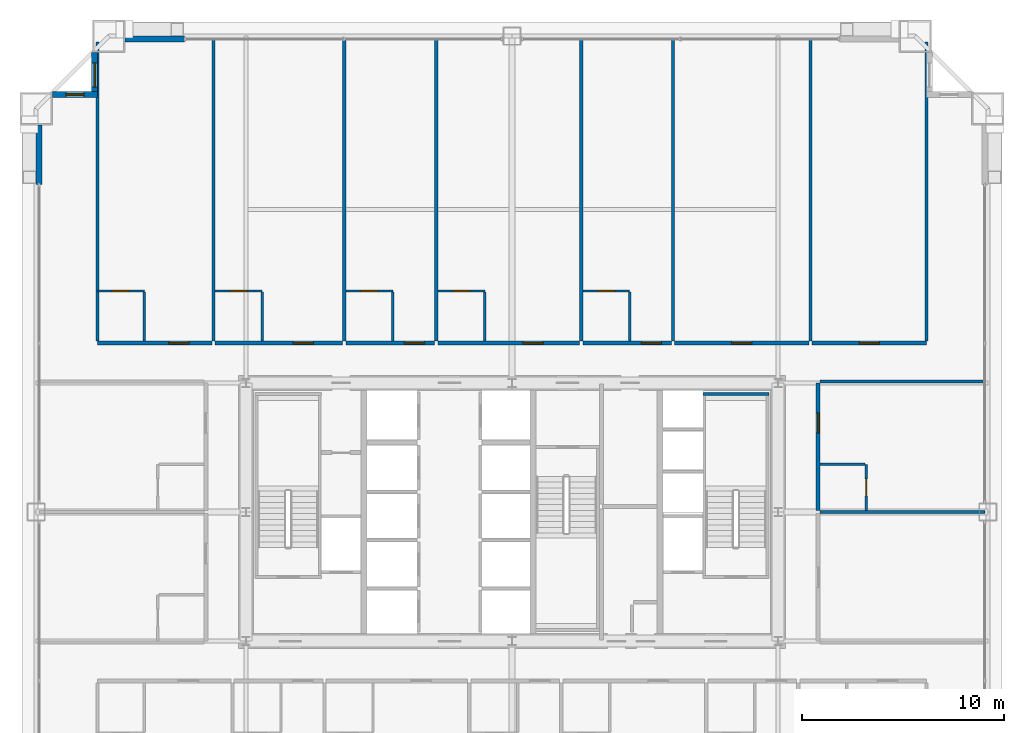
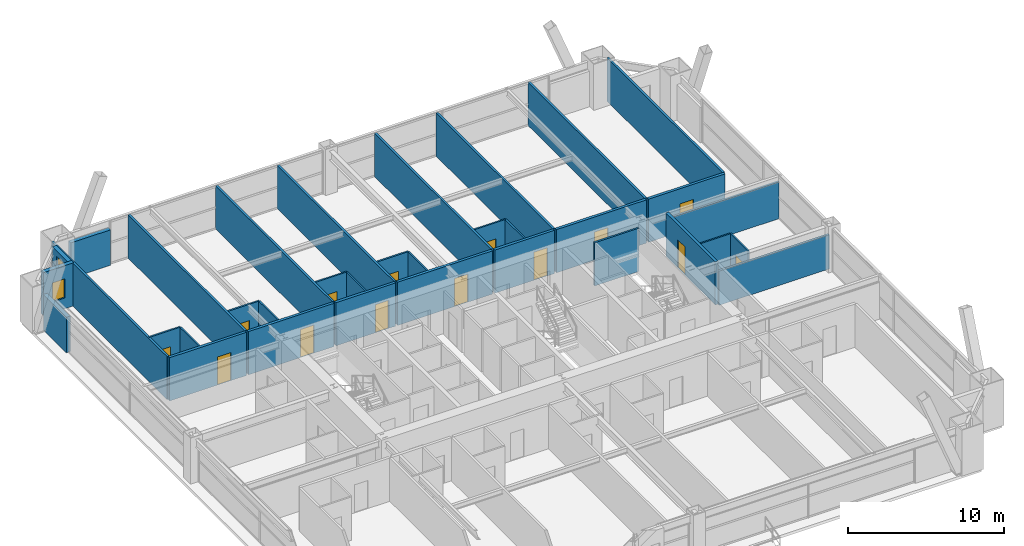
# One storey, part 41 of 43: 35 walls, 14 doors, 2 windows, 16 openings.
"""IFC4 building model written with IfcOpenShell, lengths in metres."""

from ifc_helpers import new_model, si_unit, direction, frame, frame_2d, origin, place, context, subcontext, project, spatial, rectangle, extrude, source, transform, mapped, material, layer, layer_set, type_object, element, fill, save


model = new_model("IFC4")

# Units and contexts
model_context = context("Model", 3, precision=1e-05, world=origin(), true_north=direction((0.0, 1.0)))
body_context = subcontext(model_context, "Body", "Model", "MODEL_VIEW")
ifc_project = project(units=[si_unit("LENGTHUNIT", "METRE"), si_unit("AREAUNIT", "SQUARE_METRE"), si_unit("VOLUMEUNIT", "CUBIC_METRE"), si_unit("PLANEANGLEUNIT", "RADIAN"), si_unit("MASSUNIT", "GRAM", prefix="KILO"), si_unit("THERMODYNAMICTEMPERATUREUNIT", "KELVIN"), si_unit("POWERUNIT", "WATT")], contexts=[model_context])

# Site, building, storey
site_placement = place(None, origin())
site = spatial("IfcSite", under=ifc_project, at=site_placement, CompositionType="ELEMENT")
building_placement = place(site_placement, origin())
building = spatial("IfcBuilding", under=site, at=building_placement, Name="Yuzanri Waterfront Tower", CompositionType="ELEMENT")
storey_placement = place(building_placement, frame((0.0, 0.0, 93.800048828125)))
storey = spatial("IfcBuildingStorey", under=building, at=storey_placement, Name="L24", CompositionType="ELEMENT", Elevation=93.800048828125)

# Wall, opening, door
ifc_material_1 = material(Name="Moisture-Resistant Gypsum Stud Wall", Category="gypsum")
ifc_layer_1 = layer(ifc_material_1, 0.1201171875)
ifc_layer_set_1 = layer_set([ifc_layer_1], Name="Moisture-Resistant Gypsum Stud Wall")
wall_type_1 = type_object("IfcWallType", Name="Bathroom and Kitchen Wet Partition 120", PredefinedType="PARTITIONING", material=ifc_layer_set_1)
wall_1_placement = place(storey_placement, frame((16.43994140625, 36.760009765625, 0.0), z_axis=(0.0, 0.0, 1.0), x_axis=(1.0, 0.0, 0.0)))
wall_1 = element("IfcWall", 1, at=wall_1_placement, inside=storey, type_object=wall_type_1, Name="L24 Partition UW-L24-N1-BN", PredefinedType="PARTITIONING", context=body_context, shape_type="SweptSolid", body=[
    extrude(rectangle(XDim=2.330078125, YDim=0.1201171875, at=frame_2d((1.1650390625, 0.0))), origin(), (0.0, 0.0, 1.0), 3.3798828125),
])
opening_1_placement = place(wall_1_placement, frame((0.739990234375, 0.0, 0.0)))
opening_1 = element("IfcOpeningElement", 2, at=opening_1_placement, cuts=wall_1, Name="Opening ID-0850", PredefinedType="OPENING", context=body_context, shape_type="SweptSolid", body=[
    extrude(rectangle(XDim=0.85009765625, YDim=2.10009765625, at=frame_2d((0.425048828125, 1.050048828125))), frame((0.0, 0.074951171875, 0.0), z_axis=(0.0, -1.0, 0.0), x_axis=(1.0, 0.0, 0.0)), (0.0, 0.0, 1.0), 0.14990234375),
])
ifc_material_2 = material(Name="Moisture-Resistant Lacquered Timber", Category="wood")
door_type_1 = type_object("IfcDoorType", Name="En-Suite Bathroom and Kitchen Swing Door 850x2100", OperationType="NOTDEFINED", PredefinedType="DOOR", material=ifc_material_2)
shared_shape_1 = source(origin(), body_context, "Body", "SweptSolid", [
    extrude(rectangle(XDim=0.85009765625, YDim=2.10009765625, at=frame_2d((0.425048828125, 1.050048828125))), frame((0.0, 0.02490234375, 0.0), z_axis=(0.0, -1.0, 0.0), x_axis=(1.0, 0.0, 0.0)), (0.0, 0.0, 1.0), 0.050048828125),
])
door_1_placement = place(opening_1_placement, origin())
door_1 = element("IfcDoor", 3, at=door_1_placement, inside=storey, type_object=door_type_1, Name="L24 Guest En-Suite Door", OperationType="SINGLE_SWING_LEFT", OverallHeight=2.10009765625, OverallWidth=0.85009765625, PredefinedType="DOOR", context=body_context, shape_type="MappedRepresentation", body=[
    mapped(shared_shape_1, transform((0.0, 0.0, 0.0), scale=1.0)),
])
fill(opening_1, door_1)

wall_2_placement = place(storey_placement, frame((22.277099609375, 36.760009765625, 0.0), z_axis=(0.0, 0.0, 1.0), x_axis=(1.0, 0.0, 0.0)))
wall_2 = element("IfcWall", 4, at=wall_2_placement, inside=storey, type_object=wall_type_1, Name="L24 Partition UW-L24-N2-BN", PredefinedType="PARTITIONING", context=body_context, shape_type="SweptSolid", body=[
    extrude(rectangle(XDim=2.329833984375, YDim=0.1201171875, at=frame_2d((1.1650390625, 0.0))), origin(), (0.0, 0.0, 1.0), 3.3798828125),
])
opening_2_placement = place(wall_2_placement, frame((0.739990234375, 0.0, 0.0)))
opening_2 = element("IfcOpeningElement", 5, at=opening_2_placement, cuts=wall_2, Name="Opening ID-0850", PredefinedType="OPENING", context=body_context, shape_type="SweptSolid", body=[
    extrude(rectangle(XDim=0.85009765625, YDim=2.10009765625, at=frame_2d((0.425048828125, 1.050048828125))), frame((0.0, 0.074951171875, 0.0), z_axis=(0.0, -1.0, 0.0), x_axis=(1.0, 0.0, 0.0)), (0.0, 0.0, 1.0), 0.14990234375),
])
door_2_placement = place(opening_2_placement, origin())
door_2 = element("IfcDoor", 6, at=door_2_placement, inside=storey, type_object=door_type_1, Name="L24 Guest En-Suite Door", OperationType="SINGLE_SWING_LEFT", OverallHeight=2.10009765625, OverallWidth=0.85009765625, PredefinedType="DOOR", context=body_context, shape_type="MappedRepresentation", body=[
    mapped(shared_shape_1, transform((0.0, 0.0, 0.0), scale=1.0)),
])
fill(opening_2, door_2)

wall_3_placement = place(storey_placement, frame((28.761962890625, 36.760009765625, 0.0), z_axis=(0.0, 0.0, 1.0), x_axis=(1.0, 0.0, 0.0)))
wall_3 = element("IfcWall", 7, at=wall_3_placement, inside=storey, type_object=wall_type_1, Name="L24 Partition UW-L24-N3-BN", PredefinedType="PARTITIONING", context=body_context, shape_type="SweptSolid", body=[
    extrude(rectangle(XDim=2.328125, YDim=0.1201171875, at=frame_2d((1.1640625, 0.0))), origin(), (0.0, 0.0, 1.0), 3.3798828125),
])
opening_3_placement = place(wall_3_placement, frame((0.739013671875, 0.0, 0.0)))
opening_3 = element("IfcOpeningElement", 8, at=opening_3_placement, cuts=wall_3, Name="Opening ID-0850", PredefinedType="OPENING", context=body_context, shape_type="SweptSolid", body=[
    extrude(rectangle(XDim=0.85009765625, YDim=2.10009765625, at=frame_2d((0.425048828125, 1.050048828125))), frame((0.0, 0.074951171875, 0.0), z_axis=(0.0, -1.0, 0.0), x_axis=(1.0, 0.0, 0.0)), (0.0, 0.0, 1.0), 0.14990234375),
])
door_3_placement = place(opening_3_placement, origin())
door_3 = element("IfcDoor", 9, at=door_3_placement, inside=storey, type_object=door_type_1, Name="L24 Guest En-Suite Door", OperationType="SINGLE_SWING_LEFT", OverallHeight=2.10009765625, OverallWidth=0.85009765625, PredefinedType="DOOR", context=body_context, shape_type="MappedRepresentation", body=[
    mapped(shared_shape_1, transform((0.0, 0.0, 0.0), scale=1.0)),
])
fill(opening_3, door_3)

wall_4_placement = place(storey_placement, frame((33.320068359375, 36.760009765625, 0.0), z_axis=(0.0, 0.0, 1.0), x_axis=(1.0, 0.0, 0.0)))
wall_4 = element("IfcWall", 10, at=wall_4_placement, inside=storey, type_object=wall_type_1, Name="L24 Partition UW-L24-N4-BN", PredefinedType="PARTITIONING", context=body_context, shape_type="SweptSolid", body=[
    extrude(rectangle(XDim=2.329833984375, YDim=0.1201171875, at=frame_2d((1.1650390625, 0.0))), origin(), (0.0, 0.0, 1.0), 3.3798828125),
])
opening_4_placement = place(wall_4_placement, frame((0.739990234375, 0.0, 0.0)))
opening_4 = element("IfcOpeningElement", 11, at=opening_4_placement, cuts=wall_4, Name="Opening ID-0850", PredefinedType="OPENING", context=body_context, shape_type="SweptSolid", body=[
    extrude(rectangle(XDim=0.85009765625, YDim=2.10009765625, at=frame_2d((0.425048828125, 1.050048828125))), frame((0.0, 0.074951171875, 0.0), z_axis=(0.0, -1.0, 0.0), x_axis=(1.0, 0.0, 0.0)), (0.0, 0.0, 1.0), 0.14990234375),
])
door_4_placement = place(opening_4_placement, origin())
door_4 = element("IfcDoor", 12, at=door_4_placement, inside=storey, type_object=door_type_1, Name="L24 Guest En-Suite Door", OperationType="SINGLE_SWING_LEFT", OverallHeight=2.10009765625, OverallWidth=0.85009765625, PredefinedType="DOOR", context=body_context, shape_type="MappedRepresentation", body=[
    mapped(shared_shape_1, transform((0.0, 0.0, 0.0), scale=1.0)),
])
fill(opening_4, door_4)

wall_5_placement = place(storey_placement, frame((40.510986328125, 36.760009765625, 0.0), z_axis=(0.0, 0.0, 1.0), x_axis=(1.0, 0.0, 0.0)))
wall_5 = element("IfcWall", 13, at=wall_5_placement, inside=storey, type_object=wall_type_1, Name="L24 Partition UW-L24-N5-BN", PredefinedType="PARTITIONING", context=body_context, shape_type="SweptSolid", body=[
    extrude(rectangle(XDim=2.328125, YDim=0.1201171875, at=frame_2d((1.1640625, 0.0))), origin(), (0.0, 0.0, 1.0), 3.3798828125),
])
opening_5_placement = place(wall_5_placement, frame((0.739013671875, 0.0, 0.0)))
opening_5 = element("IfcOpeningElement", 14, at=opening_5_placement, cuts=wall_5, Name="Opening ID-0850", PredefinedType="OPENING", context=body_context, shape_type="SweptSolid", body=[
    extrude(rectangle(XDim=0.85009765625, YDim=2.10009765625, at=frame_2d((0.425048828125, 1.050048828125))), frame((0.0, 0.074951171875, 0.0), z_axis=(0.0, -1.0, 0.0), x_axis=(1.0, 0.0, 0.0)), (0.0, 0.0, 1.0), 0.14990234375),
])
door_5_placement = place(opening_5_placement, origin())
door_5 = element("IfcDoor", 15, at=door_5_placement, inside=storey, type_object=door_type_1, Name="L24 Guest En-Suite Door", OperationType="SINGLE_SWING_LEFT", OverallHeight=2.10009765625, OverallWidth=0.85009765625, PredefinedType="DOOR", context=body_context, shape_type="MappedRepresentation", body=[
    mapped(shared_shape_1, transform((0.0, 0.0, 0.0), scale=1.0)),
])
fill(opening_5, door_5)

wall_6_placement = place(storey_placement, frame((54.56005859375, 25.8798828125, 0.0), z_axis=(0.0, 0.0, 1.0), x_axis=(0.0, 1.0, 0.0)))
wall_6 = element("IfcWall", 16, at=wall_6_placement, inside=storey, type_object=wall_type_1, Name="L24 Partition UW-L24-E2-BE2", PredefinedType="PARTITIONING", context=body_context, shape_type="SweptSolid", body=[
    extrude(rectangle(XDim=2.280029296875, YDim=0.1201171875, at=frame_2d((1.14013671875, 0.0))), origin(), (0.0, 0.0, 1.0), 3.3798828125),
])
opening_6_placement = place(wall_6_placement, frame((0.715087890625, 0.0, 0.0)))
opening_6 = element("IfcOpeningElement", 17, at=opening_6_placement, cuts=wall_6, Name="Opening ID-0850", PredefinedType="OPENING", context=body_context, shape_type="SweptSolid", body=[
    extrude(rectangle(XDim=0.85009765625, YDim=2.10009765625, at=frame_2d((0.425048828125, 1.050048828125))), frame((0.0, 0.074951171875, 0.0), z_axis=(0.0, -1.0, 0.0), x_axis=(1.0, 0.0, 0.0)), (0.0, 0.0, 1.0), 0.14990234375),
])
door_6_placement = place(opening_6_placement, origin())
door_6 = element("IfcDoor", 18, at=door_6_placement, inside=storey, type_object=door_type_1, Name="L24 Guest En-Suite Door", OperationType="SINGLE_SWING_RIGHT", OverallHeight=2.10009765625, OverallWidth=0.85009765625, PredefinedType="DOOR", context=body_context, shape_type="MappedRepresentation", body=[
    mapped(shared_shape_1, transform((0.0, 0.0, 0.0), scale=1.0)),
])
fill(opening_6, door_6)

# Wall, opening, window
ifc_material_3 = material(Name="Honed Chongqing Dark Basalt Stone", Category="masonry")
ifc_layer_2 = layer(ifc_material_3, 0.300048828125)
ifc_layer_set_2 = layer_set([ifc_layer_2], Name="Honed Chongqing Dark Basalt Stone")
wall_type_2 = type_object("IfcWallType", Name="Bronze Rainscreen Insulated Spandrel Portal Wall 300", PredefinedType="SOLIDWALL", material=ifc_layer_set_2)
wall_7_placement = place(storey_placement, frame((16.449951171875, 46.5, 0.0), z_axis=(0.0, 0.0, 1.0), x_axis=(-1.0, 0.0, 0.0)))
wall_7 = element("IfcWall", 19, at=wall_7_placement, inside=storey, type_object=wall_type_2, Name="L24 Notched Corner Masonry Wall NW-X", PredefinedType="SOLIDWALL", context=body_context, shape_type="SweptSolid", body=[
    extrude(rectangle(XDim=2.25, YDim=0.300048828125, at=frame_2d((1.125, 0.0))), origin(), (0.0, 0.0, 1.0), 3.3798828125),
])
opening_7_placement = place(wall_7_placement, frame((0.675048828125, 0.0, 0.85009765625)))
opening_7 = element("IfcOpeningElement", 20, at=opening_7_placement, cuts=wall_7, Name="Opening WN-05", PredefinedType="OPENING", context=body_context, shape_type="SweptSolid", body=[
    extrude(rectangle(XDim=0.89990234375, YDim=1.5, at=frame_2d((0.449951171875, 0.75))), frame((0.0, 0.1650390625, 0.0), z_axis=(0.0, -1.0, 0.0), x_axis=(1.0, 0.0, 0.0)), (0.0, 0.0, 1.0), 0.329833984375),
])
ifc_material_4 = material(Name="Double-Silver Low-E Insulated Glass", Category="glass")
window_type_1 = type_object("IfcWindowType", Name="Anodized Bronze Service and Stairwell Smoke-Vent Window 900x1500", PartitioningType="SINGLE_PANEL", PredefinedType="WINDOW", material=ifc_material_4)
shared_shape_2 = source(origin(), body_context, "Body", "SweptSolid", [
    extrude(rectangle(XDim=0.89990234375, YDim=1.5, at=frame_2d((0.449951171875, 0.75))), frame((0.0, 0.030029296875, 0.0), z_axis=(0.0, -1.0, 0.0), x_axis=(1.0, 0.0, 0.0)), (0.0, 0.0, 1.0), 0.06005859375),
])
window_1_placement = place(opening_7_placement, origin())
window_1 = element("IfcWindow", 21, at=window_1_placement, inside=storey, type_object=window_type_1, Name="L24 Notched Corner Window NW-X", OverallHeight=1.5, OverallWidth=0.89990234375, PartitioningType="SINGLE_PANEL", PredefinedType="WINDOW", context=body_context, shape_type="MappedRepresentation", body=[
    mapped(shared_shape_2, transform((0.0, 0.0, 0.0), scale=1.0)),
])
fill(opening_7, window_1)

wall_8_placement = place(storey_placement, frame((16.300048828125, 48.60009765625, 0.0), z_axis=(0.0, 0.0, 1.0), x_axis=(0.0, -1.0, 0.0)))
wall_8 = element("IfcWall", 22, at=wall_8_placement, inside=storey, type_object=wall_type_2, Name="L24 Notched Corner Masonry Wall NW-Y", PredefinedType="SOLIDWALL", context=body_context, shape_type="SweptSolid", body=[
    extrude(rectangle(XDim=2.25, YDim=0.300048828125, at=frame_2d((1.125, 0.0))), origin(), (0.0, 0.0, 1.0), 3.3798828125),
])
opening_8_placement = place(wall_8_placement, frame((0.52490234375, 0.0, 0.85009765625)))
opening_8 = element("IfcOpeningElement", 23, at=opening_8_placement, cuts=wall_8, Name="Opening WN-02", PredefinedType="OPENING", context=body_context, shape_type="SweptSolid", body=[
    extrude(rectangle(XDim=1.199951171875, YDim=2.10009765625, at=frame_2d((0.60009765625, 1.050048828125))), frame((0.0, 0.1650390625, 0.0), z_axis=(0.0, -1.0, 0.0), x_axis=(1.0, 0.0, 0.0)), (0.0, 0.0, 1.0), 0.329833984375),
])
ifc_material_5 = material(Name="Double-Silver Low-E Insulated Glass", Category="glass")
window_type_2 = type_object("IfcWindowType", Name="Anodized Bronze Notched Corner Deep-Set Slot Window 1200x2100", PartitioningType="SINGLE_PANEL", PredefinedType="WINDOW", material=ifc_material_5)
shared_shape_3 = source(origin(), body_context, "Body", "SweptSolid", [
    extrude(rectangle(XDim=1.199951171875, YDim=2.10009765625, at=frame_2d((0.60009765625, 1.050048828125))), frame((0.0, 0.030029296875, 0.0), z_axis=(0.0, -1.0, 0.0), x_axis=(1.0, 0.0, 0.0)), (0.0, 0.0, 1.0), 0.06005859375),
])
window_2_placement = place(opening_8_placement, origin())
window_2 = element("IfcWindow", 24, at=window_2_placement, inside=storey, type_object=window_type_2, Name="L24 Notched Corner Window NW-Y", OverallHeight=2.10009765625, OverallWidth=1.199951171875, PartitioningType="SINGLE_PANEL", PredefinedType="WINDOW", context=body_context, shape_type="MappedRepresentation", body=[
    mapped(shared_shape_3, transform((0.0, 0.0, 0.0), scale=1.0)),
])
fill(opening_8, window_2)

# Wall, opening, door
ifc_material_6 = material(Name="Autoclaved Aerated Concrete Blockwork", Category="masonry")
ifc_layer_3 = layer(ifc_material_6, 0.199951171875)
ifc_layer_set_3 = layer_set([ifc_layer_3], Name="Autoclaved Aerated Concrete Blockwork")
wall_type_3 = type_object("IfcWallType", Name="Corridor and Unit Party Fire Wall 200", PredefinedType="PARTITIONING", material=ifc_layer_set_3)
wall_9_placement = place(storey_placement, frame((16.43994140625, 34.179931640625, 0.0), z_axis=(0.0, 0.0, 1.0), x_axis=(1.0, 0.0, 0.0)))
wall_9 = element("IfcWall", 25, at=wall_9_placement, inside=storey, type_object=wall_type_3, Name="L24 Partition UW-L24-N1-CS", PredefinedType="PARTITIONING", context=body_context, shape_type="SweptSolid", body=[
    extrude(rectangle(XDim=5.677001953125, YDim=0.199951171875, at=frame_2d((2.83837890625, 0.0))), origin(), (0.0, 0.0, 1.0), 3.3798828125),
])
opening_9_placement = place(wall_9_placement, frame((3.54296875, 0.0, 0.0)))
opening_9 = element("IfcOpeningElement", 26, at=opening_9_placement, cuts=wall_9, Name="Opening FD-1000", PredefinedType="OPENING", context=body_context, shape_type="SweptSolid", body=[
    extrude(rectangle(XDim=1.0, YDim=2.199951171875, at=frame_2d((0.5, 1.10009765625))), frame((0.0, 0.11474609375, 0.0), z_axis=(0.0, -1.0, 0.0), x_axis=(1.0, 0.0, 0.0)), (0.0, 0.0, 1.0), 0.229736328125),
])
ifc_material_7 = material(Name="Engineered Oak Fire-Rated Timber", Category="wood")
door_type_2 = type_object("IfcDoorType", Name="Guestroom and Apartment Entrance Fire Door 1000x2200", OperationType="NOTDEFINED", PredefinedType="DOOR", material=ifc_material_7)
shared_shape_4 = source(origin(), body_context, "Body", "SweptSolid", [
    extrude(rectangle(XDim=1.0, YDim=2.199951171875, at=frame_2d((0.5, 1.10009765625))), frame((0.0, 0.02490234375, 0.0), z_axis=(0.0, -1.0, 0.0), x_axis=(1.0, 0.0, 0.0)), (0.0, 0.0, 1.0), 0.050048828125),
])
door_7_placement = place(opening_9_placement, origin())
door_7 = element("IfcDoor", 27, at=door_7_placement, inside=storey, type_object=door_type_2, Name="L24 Deluxe Queen Junior Suite Entrance Door", OperationType="SINGLE_SWING_RIGHT", OverallHeight=2.199951171875, OverallWidth=1.0, PredefinedType="DOOR", context=body_context, shape_type="MappedRepresentation", body=[
    mapped(shared_shape_4, transform((0.0, 0.0, 0.0), scale=1.0)),
])
fill(opening_9, door_7)

wall_10_placement = place(storey_placement, frame((22.277099609375, 34.179931640625, 0.0), z_axis=(0.0, 0.0, 1.0), x_axis=(1.0, 0.0, 0.0)))
wall_10 = element("IfcWall", 28, at=wall_10_placement, inside=storey, type_object=wall_type_3, Name="L24 Partition UW-L24-N2-CS", PredefinedType="PARTITIONING", context=body_context, shape_type="SweptSolid", body=[
    extrude(rectangle(XDim=6.324951171875, YDim=0.199951171875, at=frame_2d((3.16259765625, 0.0))), origin(), (0.0, 0.0, 1.0), 3.3798828125),
])
opening_10_placement = place(wall_10_placement, frame((3.867919921875, 0.0, 0.0)))
opening_10 = element("IfcOpeningElement", 29, at=opening_10_placement, cuts=wall_10, Name="Opening FD-1000", PredefinedType="OPENING", context=body_context, shape_type="SweptSolid", body=[
    extrude(rectangle(XDim=1.0, YDim=2.199951171875, at=frame_2d((0.5, 1.10009765625))), frame((0.0, 0.11474609375, 0.0), z_axis=(0.0, -1.0, 0.0), x_axis=(1.0, 0.0, 0.0)), (0.0, 0.0, 1.0), 0.229736328125),
])
door_8_placement = place(opening_10_placement, origin())
door_8 = element("IfcDoor", 30, at=door_8_placement, inside=storey, type_object=door_type_2, Name="L24 Deluxe Queen Junior Suite Entrance Door", OperationType="SINGLE_SWING_RIGHT", OverallHeight=2.199951171875, OverallWidth=1.0, PredefinedType="DOOR", context=body_context, shape_type="MappedRepresentation", body=[
    mapped(shared_shape_4, transform((0.0, 0.0, 0.0), scale=1.0)),
])
fill(opening_10, door_8)

wall_11_placement = place(storey_placement, frame((28.761962890625, 34.179931640625, 0.0), z_axis=(0.0, 0.0, 1.0), x_axis=(1.0, 0.0, 0.0)))
wall_11 = element("IfcWall", 31, at=wall_11_placement, inside=storey, type_object=wall_type_3, Name="L24 Partition UW-L24-N3-CS", PredefinedType="PARTITIONING", context=body_context, shape_type="SweptSolid", body=[
    extrude(rectangle(XDim=4.39794921875, YDim=0.199951171875, at=frame_2d((2.198974609375, 0.0))), origin(), (0.0, 0.0, 1.0), 3.3798828125),
])
opening_11_placement = place(wall_11_placement, frame((2.903076171875, 0.0, 0.0)))
opening_11 = element("IfcOpeningElement", 32, at=opening_11_placement, cuts=wall_11, Name="Opening FD-1000", PredefinedType="OPENING", context=body_context, shape_type="SweptSolid", body=[
    extrude(rectangle(XDim=1.0, YDim=2.199951171875, at=frame_2d((0.5, 1.10009765625))), frame((0.0, 0.11474609375, 0.0), z_axis=(0.0, -1.0, 0.0), x_axis=(1.0, 0.0, 0.0)), (0.0, 0.0, 1.0), 0.229736328125),
])
door_9_placement = place(opening_11_placement, origin())
door_9 = element("IfcDoor", 33, at=door_9_placement, inside=storey, type_object=door_type_2, Name="L24 Deluxe Queen Guest Room Entrance Door", OperationType="SINGLE_SWING_RIGHT", OverallHeight=2.199951171875, OverallWidth=1.0, PredefinedType="DOOR", context=body_context, shape_type="MappedRepresentation", body=[
    mapped(shared_shape_4, transform((0.0, 0.0, 0.0), scale=1.0)),
])
fill(opening_11, door_9)

wall_12_placement = place(storey_placement, frame((33.320068359375, 34.179931640625, 0.0), z_axis=(0.0, 0.0, 1.0), x_axis=(1.0, 0.0, 0.0)))
wall_12 = element("IfcWall", 34, at=wall_12_placement, inside=storey, type_object=wall_type_3, Name="L24 Partition UW-L24-N4-CS", PredefinedType="PARTITIONING", context=body_context, shape_type="SweptSolid", body=[
    extrude(rectangle(XDim=7.031005859375, YDim=0.199951171875, at=frame_2d((3.515625, 0.0))), origin(), (0.0, 0.0, 1.0), 3.3798828125),
])
opening_12_placement = place(wall_12_placement, frame((4.219970703125, 0.0, 0.0)))
opening_12 = element("IfcOpeningElement", 35, at=opening_12_placement, cuts=wall_12, Name="Opening FD-1000", PredefinedType="OPENING", context=body_context, shape_type="SweptSolid", body=[
    extrude(rectangle(XDim=1.0, YDim=2.199951171875, at=frame_2d((0.5, 1.10009765625))), frame((0.0, 0.11474609375, 0.0), z_axis=(0.0, -1.0, 0.0), x_axis=(1.0, 0.0, 0.0)), (0.0, 0.0, 1.0), 0.229736328125),
])
door_10_placement = place(opening_12_placement, origin())
door_10 = element("IfcDoor", 36, at=door_10_placement, inside=storey, type_object=door_type_2, Name="L24 Deluxe Queen Junior Suite Entrance Door", OperationType="SINGLE_SWING_RIGHT", OverallHeight=2.199951171875, OverallWidth=1.0, PredefinedType="DOOR", context=body_context, shape_type="MappedRepresentation", body=[
    mapped(shared_shape_4, transform((0.0, 0.0, 0.0), scale=1.0)),
])
fill(opening_12, door_10)

wall_13_placement = place(storey_placement, frame((40.510986328125, 34.179931640625, 0.0), z_axis=(0.0, 0.0, 1.0), x_axis=(1.0, 0.0, 0.0)))
wall_13 = element("IfcWall", 37, at=wall_13_placement, inside=storey, type_object=wall_type_3, Name="L24 Partition UW-L24-N5-CS", PredefinedType="PARTITIONING", context=body_context, shape_type="SweptSolid", body=[
    extrude(rectangle(XDim=4.39794921875, YDim=0.199951171875, at=frame_2d((2.198974609375, 0.0))), origin(), (0.0, 0.0, 1.0), 3.3798828125),
])
opening_13_placement = place(wall_13_placement, frame((2.903076171875, 0.0, 0.0)))
opening_13 = element("IfcOpeningElement", 38, at=opening_13_placement, cuts=wall_13, Name="Opening FD-1000", PredefinedType="OPENING", context=body_context, shape_type="SweptSolid", body=[
    extrude(rectangle(XDim=1.0, YDim=2.199951171875, at=frame_2d((0.5, 1.10009765625))), frame((0.0, 0.11474609375, 0.0), z_axis=(0.0, -1.0, 0.0), x_axis=(1.0, 0.0, 0.0)), (0.0, 0.0, 1.0), 0.229736328125),
])
door_11_placement = place(opening_13_placement, origin())
door_11 = element("IfcDoor", 39, at=door_11_placement, inside=storey, type_object=door_type_2, Name="L24 Deluxe Queen Guest Room Entrance Door", OperationType="SINGLE_SWING_RIGHT", OverallHeight=2.199951171875, OverallWidth=1.0, PredefinedType="DOOR", context=body_context, shape_type="MappedRepresentation", body=[
    mapped(shared_shape_4, transform((0.0, 0.0, 0.0), scale=1.0)),
])
fill(opening_13, door_11)

wall_14_placement = place(storey_placement, frame((45.069091796875, 34.179931640625, 0.0), z_axis=(0.0, 0.0, 1.0), x_axis=(1.0, 0.0, 0.0)))
wall_14 = element("IfcWall", 40, at=wall_14_placement, inside=storey, type_object=wall_type_3, Name="L24 Partition UW-L24-N6-CS", PredefinedType="PARTITIONING", context=body_context, shape_type="SweptSolid", body=[
    extrude(rectangle(XDim=6.65380859375, YDim=0.199951171875, at=frame_2d((3.326904296875, 0.0))), origin(), (0.0, 0.0, 1.0), 3.3798828125),
])
opening_14_placement = place(wall_14_placement, frame((2.826904296875, 0.0, 0.0)))
opening_14 = element("IfcOpeningElement", 41, at=opening_14_placement, cuts=wall_14, Name="Opening FD-1000", PredefinedType="OPENING", context=body_context, shape_type="SweptSolid", body=[
    extrude(rectangle(XDim=1.0, YDim=2.199951171875, at=frame_2d((0.5, 1.10009765625))), frame((0.0, 0.11474609375, 0.0), z_axis=(0.0, -1.0, 0.0), x_axis=(1.0, 0.0, 0.0)), (0.0, 0.0, 1.0), 0.229736328125),
])
door_12_placement = place(opening_14_placement, origin())
door_12 = element("IfcDoor", 42, at=door_12_placement, inside=storey, type_object=door_type_2, Name="L24 Business Office 1 Entrance Door", OperationType="SINGLE_SWING_RIGHT", OverallHeight=2.199951171875, OverallWidth=1.0, PredefinedType="DOOR", context=body_context, shape_type="MappedRepresentation", body=[
    mapped(shared_shape_4, transform((0.0, 0.0, 0.0), scale=1.0)),
])
fill(opening_14, door_12)

wall_15_placement = place(storey_placement, frame((51.883056640625, 34.179931640625, 0.0), z_axis=(0.0, 0.0, 1.0), x_axis=(1.0, 0.0, 0.0)))
wall_15 = element("IfcWall", 43, at=wall_15_placement, inside=storey, type_object=wall_type_3, Name="L24 Partition UW-L24-N7-CS", PredefinedType="PARTITIONING", context=body_context, shape_type="SweptSolid", body=[
    extrude(rectangle(XDim=5.677001953125, YDim=0.199951171875, at=frame_2d((2.83837890625, 0.0))), origin(), (0.0, 0.0, 1.0), 3.3798828125),
])
opening_15_placement = place(wall_15_placement, frame((2.339111328125, 0.0, 0.0)))
opening_15 = element("IfcOpeningElement", 44, at=opening_15_placement, cuts=wall_15, Name="Opening FD-1000", PredefinedType="OPENING", context=body_context, shape_type="SweptSolid", body=[
    extrude(rectangle(XDim=1.0, YDim=2.199951171875, at=frame_2d((0.5, 1.10009765625))), frame((0.0, 0.11474609375, 0.0), z_axis=(0.0, -1.0, 0.0), x_axis=(1.0, 0.0, 0.0)), (0.0, 0.0, 1.0), 0.229736328125),
])
door_13_placement = place(opening_15_placement, origin())
door_13 = element("IfcDoor", 45, at=door_13_placement, inside=storey, type_object=door_type_2, Name="L24 Business Office 2 Entrance Door", OperationType="SINGLE_SWING_LEFT", OverallHeight=2.199951171875, OverallWidth=1.0, PredefinedType="DOOR", context=body_context, shape_type="MappedRepresentation", body=[
    mapped(shared_shape_4, transform((0.0, 0.0, 0.0), scale=1.0)),
])
fill(opening_15, door_13)

wall_16_placement = place(storey_placement, frame((52.179931640625, 25.8798828125, 0.0), z_axis=(0.0, 0.0, 1.0), x_axis=(0.0, 1.0, 0.0)))
wall_16 = element("IfcWall", 46, at=wall_16_placement, inside=storey, type_object=wall_type_3, Name="L24 Partition UW-L24-E2-CW", PredefinedType="PARTITIONING", context=body_context, shape_type="SweptSolid", body=[
    extrude(rectangle(XDim=6.31005859375, YDim=0.199951171875, at=frame_2d((3.155029296875, 0.0))), origin(), (0.0, 0.0, 1.0), 3.3798828125),
])
opening_16_placement = place(wall_16_placement, frame((3.8349609375, 0.0, 0.0)))
opening_16 = element("IfcOpeningElement", 47, at=opening_16_placement, cuts=wall_16, Name="Opening FD-1000", PredefinedType="OPENING", context=body_context, shape_type="SweptSolid", body=[
    extrude(rectangle(XDim=1.0, YDim=2.199951171875, at=frame_2d((0.5, 1.10009765625))), frame((0.0, 0.11474609375, 0.0), z_axis=(0.0, -1.0, 0.0), x_axis=(1.0, 0.0, 0.0)), (0.0, 0.0, 1.0), 0.229736328125),
])
door_14_placement = place(opening_16_placement, origin())
door_14 = element("IfcDoor", 48, at=door_14_placement, inside=storey, type_object=door_type_2, Name="L24 East Diplomatic Suite Entrance Door", OperationType="SINGLE_SWING_LEFT", OverallHeight=2.199951171875, OverallWidth=1.0, PredefinedType="DOOR", context=body_context, shape_type="MappedRepresentation", body=[
    mapped(shared_shape_4, transform((0.0, 0.0, 0.0), scale=1.0)),
])
fill(opening_16, door_14)

# Walls
shared_shape_5 = source(origin(), body_context, "Body", "SweptSolid", [
    extrude(rectangle(XDim=2.949951171875, YDim=0.300048828125, at=frame_2d((1.47509765625, 0.0))), origin(), (0.0, 0.0, 1.0), 2.77490234375),
])
for number, where, z_axis, x_axis, name in (
    (49, (17.800048828125, 49.25, 0.0), (0.0, 0.0, 1.0), (1.0, 0.0, 0.0), "L24 N Left Braced Masonry Shoulder"),
    (50, (13.550048828125, 42.050048828125, 0.0), (0.0, 0.0, 1.0), (0.0, 1.0, 0.0), "L24 W Right Braced Masonry Shoulder"),
):
    element("IfcWall", number, at=place(storey_placement, frame(where, z_axis=z_axis, x_axis=x_axis)), inside=storey, type_object=wall_type_2, Name=name, PredefinedType="SOLIDWALL", context=body_context, shape_type="MappedRepresentation", body=[
        mapped(shared_shape_5, transform((0.0, 0.0, 0.0), scale=1.0)),
    ])
ifc_material_8 = material(Name="Concrete C40", Category="concrete")
ifc_layer_4 = layer(ifc_material_8, 0.139892578125)
ifc_layer_set_4 = layer_set([ifc_layer_4], Name="Concrete C40")
wall_type_4 = type_object("IfcWallType", Name="Core Stair Liner and Hoistway Shaft Wall 140", PredefinedType="SOLIDWALL", material=ifc_layer_set_4)
shared_shape_6 = source(origin(), body_context, "Body", "SweptSolid", [
    extrude(rectangle(XDim=3.280029296875, YDim=0.139892578125, at=frame_2d((1.64013671875, 0.0))), origin(), (0.0, 0.0, 1.0), 3.3798828125),
])
wall_17_placement = place(storey_placement, frame((46.4599609375, 31.64990234375, 0.0), z_axis=(0.0, 0.0, 1.0), x_axis=(1.0, 0.0, 0.0)))
element("IfcWall", 51, at=wall_17_placement, inside=storey, type_object=wall_type_4, Name="L24 Stair ST-02 North Shaft Wall", PredefinedType="SOLIDWALL", context=body_context, shape_type="MappedRepresentation", body=[
    mapped(shared_shape_6, transform((0.0, 0.0, 0.0), scale=1.0)),
])
shared_shape_7 = source(origin(), body_context, "Body", "SweptSolid", [
    extrude(rectangle(XDim=2.419921875, YDim=0.1201171875, at=frame_2d((1.2099609375, 0.0))), origin(), (0.0, 0.0, 1.0), 3.3798828125),
])
for number, where, z_axis, x_axis, name in (
    (52, (18.77001953125, 34.280029296875, 0.0), (0.0, 0.0, 1.0), (0.0, 1.0, 0.0), "L24-N1 En-Suite Side Wall"),
    (53, (24.60693359375, 34.280029296875, 0.0), (0.0, 0.0, 1.0), (0.0, 1.0, 0.0), "L24-N2 En-Suite Side Wall"),
    (54, (31.090087890625, 34.280029296875, 0.0), (0.0, 0.0, 1.0), (0.0, 1.0, 0.0), "L24-N3 En-Suite Side Wall"),
    (55, (35.64990234375, 34.280029296875, 0.0), (0.0, 0.0, 1.0), (0.0, 1.0, 0.0), "L24-N4 En-Suite Side Wall"),
    (56, (42.839111328125, 34.280029296875, 0.0), (0.0, 0.0, 1.0), (0.0, 1.0, 0.0), "L24-N5 En-Suite Side Wall"),
):
    element("IfcWall", number, at=place(storey_placement, frame(where, z_axis=z_axis, x_axis=x_axis)), inside=storey, type_object=wall_type_1, Name=name, PredefinedType="PARTITIONING", context=body_context, shape_type="MappedRepresentation", body=[
        mapped(shared_shape_7, transform((0.0, 0.0, 0.0), scale=1.0)),
    ])
shared_shape_8 = source(origin(), body_context, "Body", "SweptSolid", [
    extrude(rectangle(XDim=2.219970703125, YDim=0.1201171875, at=frame_2d((1.10986328125, 0.0))), origin(), (0.0, 0.0, 1.0), 3.3798828125),
])
wall_18_placement = place(storey_placement, frame((52.280029296875, 28.159912109375, 0.0), z_axis=(0.0, 0.0, 1.0), x_axis=(1.0, 0.0, 0.0)))
element("IfcWall", 57, at=wall_18_placement, inside=storey, type_object=wall_type_1, Name="L24-E2 En-Suite Top Wall", PredefinedType="PARTITIONING", context=body_context, shape_type="MappedRepresentation", body=[
    mapped(shared_shape_8, transform((0.0, 0.0, 0.0), scale=1.0)),
])
ifc_material_9 = material(Name="Gypsum Fireboard Acoustic Stud Wall", Category="gypsum")
ifc_layer_5 = layer(ifc_material_9, 0.159912109375)
ifc_layer_set_5 = layer_set([ifc_layer_5], Name="Gypsum Fireboard Acoustic Stud Wall")
wall_type_5 = type_object("IfcWallType", Name="Acoustic Suite Demising Partition 160", PredefinedType="PARTITIONING", material=ifc_layer_set_5)
shared_shape_9 = source(origin(), body_context, "Body", "SweptSolid", [
    extrude(rectangle(XDim=8.169921875, YDim=0.159912109375, at=frame_2d((4.0849609375, 0.0))), origin(), (0.0, 0.0, 1.0), 2.675048828125),
])
wall_19_placement = place(storey_placement, frame((52.280029296875, 25.800048828125, 0.0), z_axis=(0.0, 0.0, 1.0), x_axis=(1.0, 0.0, 0.0)))
element("IfcWall", 58, at=wall_19_placement, inside=storey, type_object=wall_type_5, Name="L24-E1 Wing Party Wall", PredefinedType="PARTITIONING", context=body_context, shape_type="MappedRepresentation", body=[
    mapped(shared_shape_9, transform((0.0, 0.0, 0.0), scale=1.0)),
])
shared_shape_10 = source(origin(), body_context, "Body", "SweptSolid", [
    extrude(rectangle(XDim=8.169921875, YDim=0.159912109375, at=frame_2d((4.0849609375, 0.0))), origin(), (0.0, 0.0, 1.0), 2.875),
])
wall_20_placement = place(storey_placement, frame((52.280029296875, 32.27001953125, 0.0), z_axis=(0.0, 0.0, 1.0), x_axis=(1.0, 0.0, 0.0)))
element("IfcWall", 59, at=wall_20_placement, inside=storey, type_object=wall_type_5, Name="L24-E2 Wing North End Wall", PredefinedType="PARTITIONING", context=body_context, shape_type="MappedRepresentation", body=[
    mapped(shared_shape_10, transform((0.0, 0.0, 0.0), scale=1.0)),
])
shared_shape_11 = source(origin(), body_context, "Body", "SweptSolid", [
    extrude(rectangle(XDim=14.969970703125, YDim=0.159912109375, at=frame_2d((7.48486328125, 0.0))), origin(), (0.0, 0.0, 1.0), 3.3798828125),
])
for number, where, z_axis, x_axis, name in (
    (60, (22.197021484375, 34.280029296875, 0.0), (0.0, 0.0, 1.0), (0.0, 1.0, 0.0), "L24-N1 Party Wall"),
    (61, (28.681884765625, 34.280029296875, 0.0), (0.0, 0.0, 1.0), (0.0, 1.0, 0.0), "L24-N2 Party Wall"),
    (62, (33.239990234375, 34.280029296875, 0.0), (0.0, 0.0, 1.0), (0.0, 1.0, 0.0), "L24-N3 Party Wall"),
    (63, (40.430908203125, 34.280029296875, 0.0), (0.0, 0.0, 1.0), (0.0, 1.0, 0.0), "L24-N4 Party Wall"),
    (64, (44.989013671875, 34.280029296875, 0.0), (0.0, 0.0, 1.0), (0.0, 1.0, 0.0), "L24-N5 Party Wall"),
    (65, (51.802978515625, 34.280029296875, 0.0), (0.0, 0.0, 1.0), (0.0, 1.0, 0.0), "L24-N6 Party Wall"),
):
    element("IfcWall", number, at=place(storey_placement, frame(where, z_axis=z_axis, x_axis=x_axis)), inside=storey, type_object=wall_type_5, Name=name, PredefinedType="PARTITIONING", context=body_context, shape_type="MappedRepresentation", body=[
        mapped(shared_shape_11, transform((0.0, 0.0, 0.0), scale=1.0)),
    ])
shared_shape_12 = source(origin(), body_context, "Body", "SweptSolid", [
    extrude(rectangle(XDim=14.820068359375, YDim=0.159912109375, at=frame_2d((7.41015625, 0.0))), origin(), (0.0, 0.0, 1.0), 3.3798828125),
])
for number, where, z_axis, x_axis, name in (
    (66, (16.449951171875, 34.280029296875, 0.0), (0.0, 0.0, 1.0), (0.0, 1.0, 0.0), "L24 North Band West End Wall"),
    (67, (57.550048828125, 34.280029296875, 0.0), (0.0, 0.0, 1.0), (0.0, 1.0, 0.0), "L24 North Band East End Wall"),
):
    element("IfcWall", number, at=place(storey_placement, frame(where, z_axis=z_axis, x_axis=x_axis)), inside=storey, type_object=wall_type_5, Name=name, PredefinedType="PARTITIONING", context=body_context, shape_type="MappedRepresentation", body=[
        mapped(shared_shape_12, transform((0.0, 0.0, 0.0), scale=1.0)),
    ])

save(model, "model.ifc")
